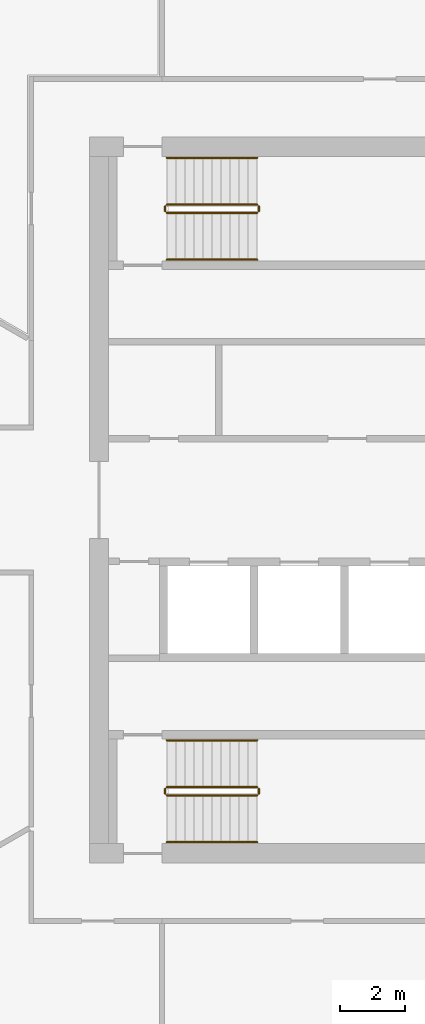
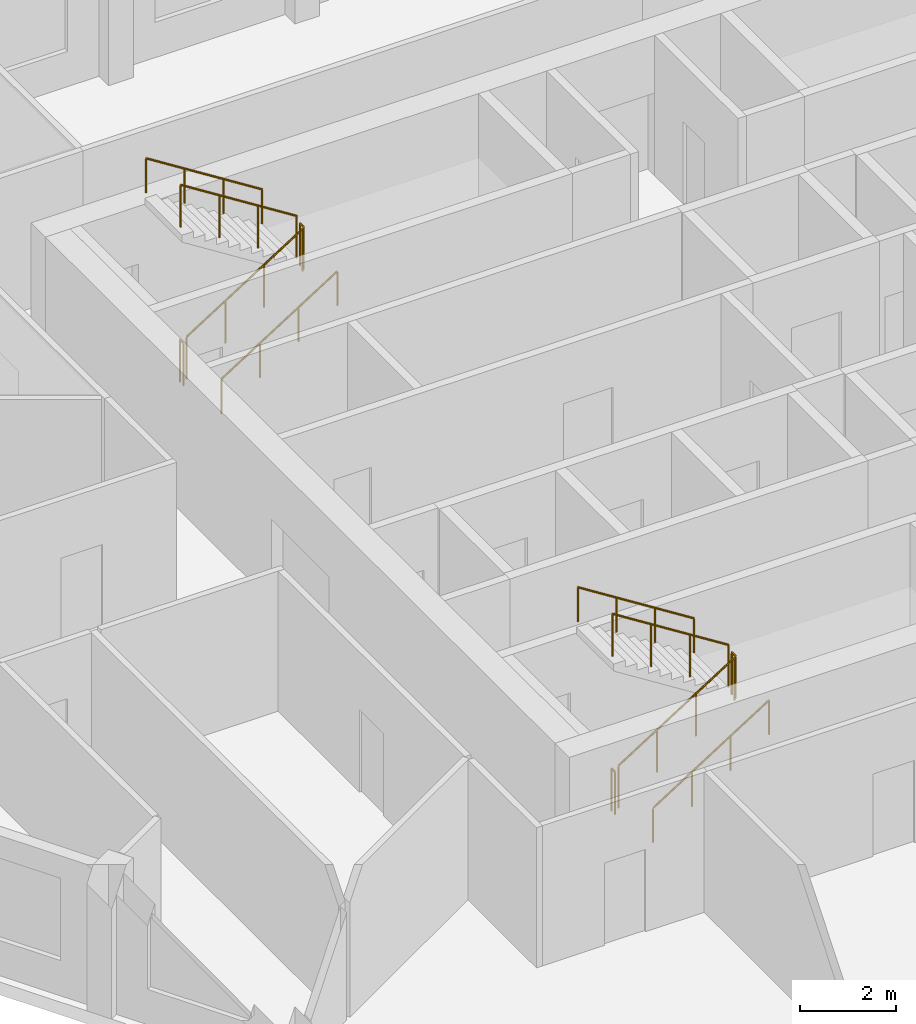
# One storey, part 8 of 10: 12 railings.
"""IFC4 building model written with IfcOpenShell, lengths in metres."""

from ifc_helpers import new_model, si_unit, direction, frame, origin, origin_2d, place, context, subcontext, project, spatial, circle, extrude, material, type_object, element, save


model = new_model("IFC4")

# Units and contexts
model_context = context("Model", 3, precision=1e-05, world=origin(), true_north=direction((0.0, 1.0)))
body_context = subcontext(model_context, "Body", "Model", "MODEL_VIEW")
ifc_project = project(units=[si_unit("LENGTHUNIT", "METRE"), si_unit("AREAUNIT", "SQUARE_METRE"), si_unit("VOLUMEUNIT", "CUBIC_METRE"), si_unit("PLANEANGLEUNIT", "RADIAN"), si_unit("MASSUNIT", "GRAM", prefix="KILO")], contexts=[model_context])

# Site, building, storey
site_placement = place(None, origin())
site = spatial("IfcSite", under=ifc_project, at=site_placement, CompositionType="ELEMENT")
building_placement = place(site_placement, origin())
building = spatial("IfcBuilding", under=site, at=building_placement, Name="Dhurran Vertical Campus", CompositionType="ELEMENT")
storey_placement = place(building_placement, frame((0.0, 0.0, 298.199951171875)))
storey = spatial("IfcBuildingStorey", under=building, at=storey_placement, Name="L74", CompositionType="ELEMENT", Elevation=298.199951171875)

# Railings
ifc_material_1 = material(Name="Stainless steel balustrade", Category="steel")
railing_type_1 = type_object("IfcRailingType", Name="co-RL-GUARD-1100", PredefinedType="GUARDRAIL", material=ifc_material_1)
railing_1_placement = place(storey_placement, frame((-11.10009765625, 8.89990234375, 0.17724609375)))
element("IfcRailing", 1, at=railing_1_placement, inside=storey, type_object=railing_type_1, Name="L74 ST1 stair guard 1", PredefinedType="GUARDRAIL", context=body_context, shape_type="SweptSolid", body=[
    extrude(circle(Radius=0.02392578125, at=origin_2d()), frame((0.0, 0.0, 1.076171875), z_axis=(0.844908973607, 0.0, 0.534910110503), x_axis=(0.0, 1.0, 0.0)), (0.0, 0.0, 1.0), 3.31396484375),
    extrude(circle(Radius=0.02099609375, at=origin_2d()), origin(), (0.0, 0.0, 1.0), 1.052001953125),
    extrude(circle(Radius=0.02099609375, at=origin_2d()), frame((0.933349609375, 0.0, 0.5908203125)), (0.0, 0.0, 1.0), 1.052001953125),
    extrude(circle(Radius=0.02099609375, at=origin_2d()), frame((1.86669921875, 0.0, 1.181884765625)), (0.0, 0.0, 1.0), 1.052001953125),
    extrude(circle(Radius=0.02099609375, at=origin_2d()), frame((2.800048828125, 0.0, 1.772705078125)), (0.0, 0.0, 1.0), 1.052001953125),
])
railing_2_placement = place(storey_placement, frame((-8.25, 8.949951171875, 1.949951171875)))
element("IfcRailing", 2, at=railing_2_placement, inside=storey, type_object=railing_type_1, Name="L74 ST1 stair guard 2", PredefinedType="GUARDRAIL", context=body_context, shape_type="SweptSolid", body=[
    extrude(circle(Radius=0.02392578125, at=origin_2d()), frame((0.0, 0.0, 1.076171875), z_axis=(0.0, 1.0, 0.0), x_axis=(-1.0, 0.0, 0.0)), (0.0, 0.0, 1.0), 0.150146484375),
    extrude(circle(Radius=0.02099609375, at=origin_2d()), origin(), (0.0, 0.0, 1.0), 1.052001953125),
    extrude(circle(Radius=0.02099609375, at=origin_2d()), frame((0.0, 0.150146484375, 0.0)), (0.0, 0.0, 1.0), 1.052001953125),
])
railing_3_placement = place(storey_placement, frame((-8.300048828125, 9.14990234375, 2.12744140625)))
element("IfcRailing", 3, at=railing_3_placement, inside=storey, type_object=railing_type_1, Name="L74 ST1 stair guard 3", PredefinedType="GUARDRAIL", context=body_context, shape_type="SweptSolid", body=[
    extrude(circle(Radius=0.02392578125, at=origin_2d()), frame((0.0, 0.0, 1.076171875), z_axis=(-0.844908973607, 0.0, 0.534910110503), x_axis=(0.0, -1.0, 0.0)), (0.0, 0.0, 1.0), 3.31396484375),
    extrude(circle(Radius=0.02099609375, at=origin_2d()), origin(), (0.0, 0.0, 1.0), 1.052001953125),
    extrude(circle(Radius=0.02099609375, at=origin_2d()), frame((-0.933349609375, 0.0, 0.5908203125)), (0.0, 0.0, 1.0), 1.052001953125),
    extrude(circle(Radius=0.02099609375, at=origin_2d()), frame((-1.86669921875, 0.0, 1.181884765625)), (0.0, 0.0, 1.0), 1.052001953125),
    extrude(circle(Radius=0.02099609375, at=origin_2d()), frame((-2.800048828125, 0.0, 1.772705078125)), (0.0, 0.0, 1.0), 1.052001953125),
])
railing_4_placement = place(storey_placement, frame((-11.14990234375, 8.949951171875, 0.0)))
element("IfcRailing", 4, at=railing_4_placement, inside=storey, type_object=railing_type_1, Name="L74 ST1 stair guard 4", PredefinedType="GUARDRAIL", context=body_context, shape_type="SweptSolid", body=[
    extrude(circle(Radius=0.02392578125, at=origin_2d()), frame((0.0, 0.0, 1.076171875), z_axis=(0.0, 1.0, 0.0), x_axis=(-1.0, 0.0, 0.0)), (0.0, 0.0, 1.0), 0.150146484375),
    extrude(circle(Radius=0.02099609375, at=origin_2d()), origin(), (0.0, 0.0, 1.0), 1.052001953125),
    extrude(circle(Radius=0.02099609375, at=origin_2d()), frame((0.0, 0.150146484375, 0.0)), (0.0, 0.0, 1.0), 1.052001953125),
])
railing_5_placement = place(storey_placement, frame((-11.10009765625, -9.14990234375, 0.17724609375)))
element("IfcRailing", 5, at=railing_5_placement, inside=storey, type_object=railing_type_1, Name="L74 ST3 stair guard 1", PredefinedType="GUARDRAIL", context=body_context, shape_type="SweptSolid", body=[
    extrude(circle(Radius=0.02392578125, at=origin_2d()), frame((0.0, 0.0, 1.076171875), z_axis=(0.844908973607, 0.0, 0.534910110503), x_axis=(0.0, 1.0, 0.0)), (0.0, 0.0, 1.0), 3.31396484375),
    extrude(circle(Radius=0.02099609375, at=origin_2d()), origin(), (0.0, 0.0, 1.0), 1.052001953125),
    extrude(circle(Radius=0.02099609375, at=origin_2d()), frame((0.933349609375, 0.0, 0.5908203125)), (0.0, 0.0, 1.0), 1.052001953125),
    extrude(circle(Radius=0.02099609375, at=origin_2d()), frame((1.86669921875, 0.0, 1.181884765625)), (0.0, 0.0, 1.0), 1.052001953125),
    extrude(circle(Radius=0.02099609375, at=origin_2d()), frame((2.800048828125, 0.0, 1.772705078125)), (0.0, 0.0, 1.0), 1.052001953125),
])
railing_6_placement = place(storey_placement, frame((-8.25, -9.10009765625, 1.949951171875)))
element("IfcRailing", 6, at=railing_6_placement, inside=storey, type_object=railing_type_1, Name="L74 ST3 stair guard 2", PredefinedType="GUARDRAIL", context=body_context, shape_type="SweptSolid", body=[
    extrude(circle(Radius=0.02392578125, at=origin_2d()), frame((0.0, 0.0, 1.076171875), z_axis=(0.0, 1.0, 0.0), x_axis=(-1.0, 0.0, 0.0)), (0.0, 0.0, 1.0), 0.150146484375),
    extrude(circle(Radius=0.02099609375, at=origin_2d()), origin(), (0.0, 0.0, 1.0), 1.052001953125),
    extrude(circle(Radius=0.02099609375, at=origin_2d()), frame((0.0, 0.150146484375, 0.0)), (0.0, 0.0, 1.0), 1.052001953125),
])
railing_7_placement = place(storey_placement, frame((-8.300048828125, -8.89990234375, 2.12744140625)))
element("IfcRailing", 7, at=railing_7_placement, inside=storey, type_object=railing_type_1, Name="L74 ST3 stair guard 3", PredefinedType="GUARDRAIL", context=body_context, shape_type="SweptSolid", body=[
    extrude(circle(Radius=0.02392578125, at=origin_2d()), frame((0.0, 0.0, 1.076171875), z_axis=(-0.844908973607, 0.0, 0.534910110503), x_axis=(0.0, -1.0, 0.0)), (0.0, 0.0, 1.0), 3.31396484375),
    extrude(circle(Radius=0.02099609375, at=origin_2d()), origin(), (0.0, 0.0, 1.0), 1.052001953125),
    extrude(circle(Radius=0.02099609375, at=origin_2d()), frame((-0.933349609375, 0.0, 0.5908203125)), (0.0, 0.0, 1.0), 1.052001953125),
    extrude(circle(Radius=0.02099609375, at=origin_2d()), frame((-1.86669921875, 0.0, 1.181884765625)), (0.0, 0.0, 1.0), 1.052001953125),
    extrude(circle(Radius=0.02099609375, at=origin_2d()), frame((-2.800048828125, 0.0, 1.772705078125)), (0.0, 0.0, 1.0), 1.052001953125),
])
railing_8_placement = place(storey_placement, frame((-11.14990234375, -9.10009765625, 0.0)))
element("IfcRailing", 8, at=railing_8_placement, inside=storey, type_object=railing_type_1, Name="L74 ST3 stair guard 4", PredefinedType="GUARDRAIL", context=body_context, shape_type="SweptSolid", body=[
    extrude(circle(Radius=0.02392578125, at=origin_2d()), frame((0.0, 0.0, 1.076171875), z_axis=(0.0, 1.0, 0.0), x_axis=(-1.0, 0.0, 0.0)), (0.0, 0.0, 1.0), 0.150146484375),
    extrude(circle(Radius=0.02099609375, at=origin_2d()), origin(), (0.0, 0.0, 1.0), 1.052001953125),
    extrude(circle(Radius=0.02099609375, at=origin_2d()), frame((0.0, 0.150146484375, 0.0)), (0.0, 0.0, 1.0), 1.052001953125),
])
ifc_material_2 = material(Name="Stainless steel handrail", Category="steel")
railing_type_2 = type_object("IfcRailingType", Name="co-RL-HANDRAIL-900", PredefinedType="HANDRAIL", material=ifc_material_2)
railing_9_placement = place(storey_placement, frame((-11.10009765625, 7.449951171875, 0.17724609375)))
element("IfcRailing", 9, at=railing_9_placement, inside=storey, type_object=railing_type_2, Name="L74 ST1 stair handrail 1", PredefinedType="HANDRAIL", context=body_context, shape_type="SweptSolid", body=[
    extrude(circle(Radius=0.02392578125, at=origin_2d()), frame((0.0, 0.0, 0.8759765625), z_axis=(0.844908973607, 0.0, 0.534910110503), x_axis=(0.0, 1.0, 0.0)), (0.0, 0.0, 1.0), 3.31396484375),
    extrude(circle(Radius=0.02099609375, at=origin_2d()), origin(), (0.0, 0.0, 1.0), 0.851806640625),
    extrude(circle(Radius=0.02099609375, at=origin_2d()), frame((0.933349609375, 0.0, 0.5908203125)), (0.0, 0.0, 1.0), 0.851806640625),
    extrude(circle(Radius=0.02099609375, at=origin_2d()), frame((1.86669921875, 0.0, 1.181884765625)), (0.0, 0.0, 1.0), 0.851806640625),
    extrude(circle(Radius=0.02099609375, at=origin_2d()), frame((2.800048828125, 0.0, 1.772705078125)), (0.0, 0.0, 1.0), 0.851806640625),
])
railing_10_placement = place(storey_placement, frame((-8.300048828125, 10.60009765625, 2.12744140625)))
element("IfcRailing", 10, at=railing_10_placement, inside=storey, type_object=railing_type_2, Name="L74 ST1 stair handrail 2", PredefinedType="HANDRAIL", context=body_context, shape_type="SweptSolid", body=[
    extrude(circle(Radius=0.02392578125, at=origin_2d()), frame((0.0, 0.0, 0.8759765625), z_axis=(-0.844908973607, 0.0, 0.534910110503), x_axis=(0.0, -1.0, 0.0)), (0.0, 0.0, 1.0), 3.31396484375),
    extrude(circle(Radius=0.02099609375, at=origin_2d()), origin(), (0.0, 0.0, 1.0), 0.851806640625),
    extrude(circle(Radius=0.02099609375, at=origin_2d()), frame((-0.933349609375, 0.0, 0.5908203125)), (0.0, 0.0, 1.0), 0.851806640625),
    extrude(circle(Radius=0.02099609375, at=origin_2d()), frame((-1.86669921875, 0.0, 1.181884765625)), (0.0, 0.0, 1.0), 0.851806640625),
    extrude(circle(Radius=0.02099609375, at=origin_2d()), frame((-2.800048828125, 0.0, 1.772705078125)), (0.0, 0.0, 1.0), 0.851806640625),
])
railing_11_placement = place(storey_placement, frame((-11.10009765625, -10.60009765625, 0.17724609375)))
element("IfcRailing", 11, at=railing_11_placement, inside=storey, type_object=railing_type_2, Name="L74 ST3 stair handrail 1", PredefinedType="HANDRAIL", context=body_context, shape_type="SweptSolid", body=[
    extrude(circle(Radius=0.02392578125, at=origin_2d()), frame((0.0, 0.0, 0.8759765625), z_axis=(0.844908973607, 0.0, 0.534910110503), x_axis=(0.0, 1.0, 0.0)), (0.0, 0.0, 1.0), 3.31396484375),
    extrude(circle(Radius=0.02099609375, at=origin_2d()), origin(), (0.0, 0.0, 1.0), 0.851806640625),
    extrude(circle(Radius=0.02099609375, at=origin_2d()), frame((0.933349609375, 0.0, 0.5908203125)), (0.0, 0.0, 1.0), 0.851806640625),
    extrude(circle(Radius=0.02099609375, at=origin_2d()), frame((1.86669921875, 0.0, 1.181884765625)), (0.0, 0.0, 1.0), 0.851806640625),
    extrude(circle(Radius=0.02099609375, at=origin_2d()), frame((2.800048828125, 0.0, 1.772705078125)), (0.0, 0.0, 1.0), 0.851806640625),
])
railing_12_placement = place(storey_placement, frame((-8.300048828125, -7.449951171875, 2.12744140625)))
element("IfcRailing", 12, at=railing_12_placement, inside=storey, type_object=railing_type_2, Name="L74 ST3 stair handrail 2", PredefinedType="HANDRAIL", context=body_context, shape_type="SweptSolid", body=[
    extrude(circle(Radius=0.02392578125, at=origin_2d()), frame((0.0, 0.0, 0.8759765625), z_axis=(-0.844908973607, 0.0, 0.534910110503), x_axis=(0.0, -1.0, 0.0)), (0.0, 0.0, 1.0), 3.31396484375),
    extrude(circle(Radius=0.02099609375, at=origin_2d()), origin(), (0.0, 0.0, 1.0), 0.851806640625),
    extrude(circle(Radius=0.02099609375, at=origin_2d()), frame((-0.933349609375, 0.0, 0.5908203125)), (0.0, 0.0, 1.0), 0.851806640625),
    extrude(circle(Radius=0.02099609375, at=origin_2d()), frame((-1.86669921875, 0.0, 1.181884765625)), (0.0, 0.0, 1.0), 0.851806640625),
    extrude(circle(Radius=0.02099609375, at=origin_2d()), frame((-2.800048828125, 0.0, 1.772705078125)), (0.0, 0.0, 1.0), 0.851806640625),
])

save(model, "model.ifc")
